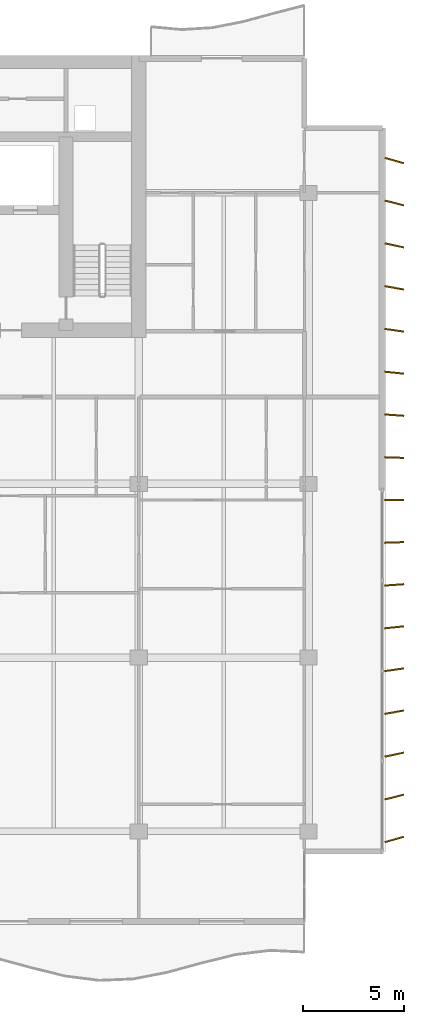
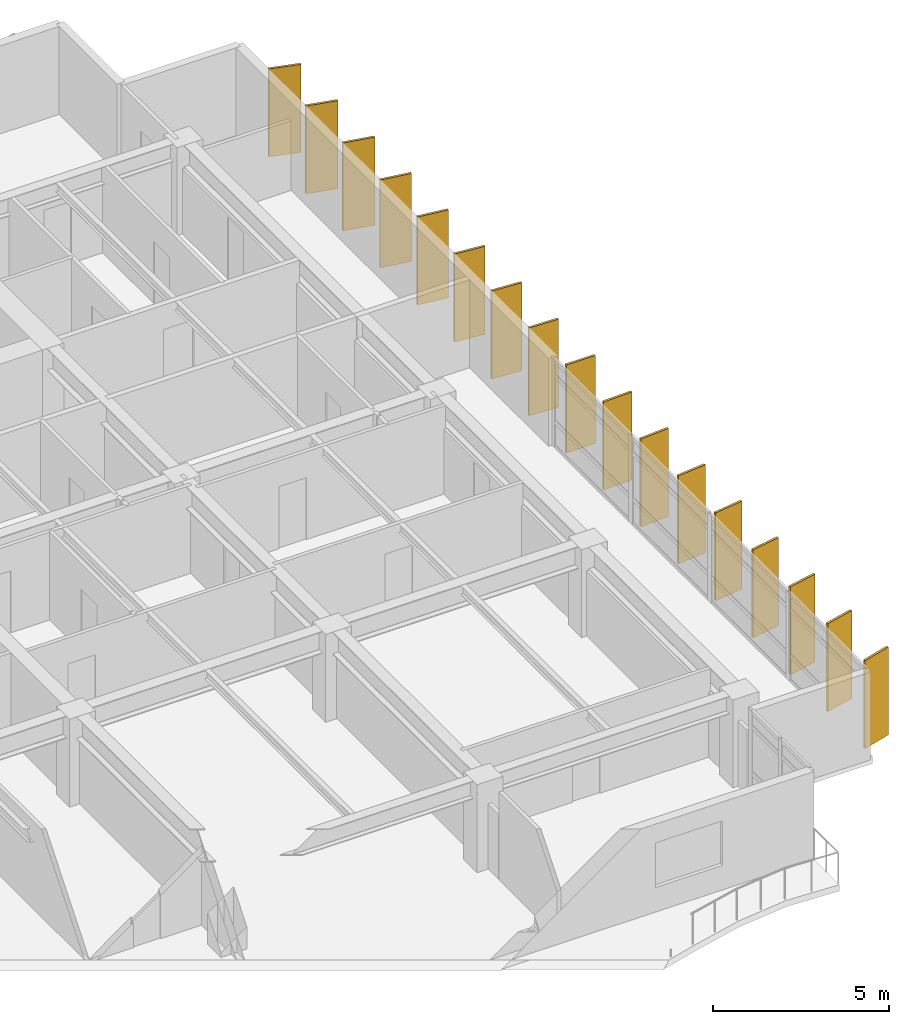
# One storey, part 18 of 18: 17 shading devices.
"""IFC4 building model written with IfcOpenShell, lengths in metres."""

from ifc_helpers import new_model, si_unit, direction, frame, origin, origin_2d, place, context, subcontext, project, spatial, rectangle, extrude, material, material_profile, profile_set, type_object, element, save


model = new_model("IFC4")

# Units and contexts
model_context = context("Model", 3, precision=1e-05, world=origin(), true_north=direction((0.0, 1.0)))
body_context = subcontext(model_context, "Body", "Model", "MODEL_VIEW")
ifc_project = project(units=[si_unit("LENGTHUNIT", "METRE"), si_unit("AREAUNIT", "SQUARE_METRE"), si_unit("VOLUMEUNIT", "CUBIC_METRE"), si_unit("PLANEANGLEUNIT", "RADIAN"), si_unit("MASSUNIT", "GRAM", prefix="KILO")], contexts=[model_context])

# Site, building, storey
site_placement = place(None, origin())
site = spatial("IfcSite", under=ifc_project, at=site_placement, CompositionType="ELEMENT")
building_placement = place(site_placement, origin())
building = spatial("IfcBuilding", under=site, at=building_placement, Name="Caelmar Bay Residences", CompositionType="ELEMENT")
storey_placement = place(building_placement, frame((0.0, 0.0, 170.39990234375)))
storey = spatial("IfcBuildingStorey", under=building, at=storey_placement, Name="L47", CompositionType="ELEMENT", Elevation=170.39990234375)

# Shading devices
ifc_material = material(Name="Anodised architectural bronze aluminium 6063-T6", Category="aluminium")
ifc_material_profile = material_profile(ifc_material, rectangle(XDim=0.074951171875, YDim=0.949951171875, at=origin_2d()), Name="BRONZE-FIN-75X950")
ifc_profile_set = profile_set([ifc_material_profile], Name="Anodised architectural bronze aluminium 6063-T6")
shading_device_type = type_object("IfcShadingDeviceType", Name="SHD-FIN-950", PredefinedType="USERDEFINED", material=ifc_profile_set)
for number, where, z_axis, x_axis, name in (
    (1, (72.14990234375, 11.800048828125, 0.0), (0.0, 0.0, 1.0), (-0.275637355817, 0.961261695938, 0.0), "L47 East Bronze Solar Fin 1"),
    (2, (72.14990234375, 13.89990234375, 0.0), (0.0, 0.0, 1.0), (-0.2419218956, 0.970295726276, 0.0), "L47 East Bronze Solar Fin 2"),
    (3, (72.14990234375, 16.0, 0.0), (0.0, 0.0, 1.0), (-0.207911690818, 0.978147600734, 0.0), "L47 East Bronze Solar Fin 3"),
    (4, (72.14990234375, 18.10009765625, 0.0), (0.0, 0.0, 1.0), (-0.173648177667, 0.984807753012, 0.0), "L47 East Bronze Solar Fin 4"),
    (5, (72.14990234375, 20.199951171875, 0.0), (0.0, 0.0, 1.0), (-0.13917310096, 0.990268068742, 0.0), "L47 East Bronze Solar Fin 5"),
    (6, (72.14990234375, 22.300048828125, 0.0), (0.0, 0.0, 1.0), (-0.104528463268, 0.994521895368, 0.0), "L47 East Bronze Solar Fin 6"),
    (7, (72.14990234375, 24.39990234375, 0.0), (0.0, 0.0, 1.0), (-0.069756473744, 0.99756405026, 0.0), "L47 East Bronze Solar Fin 7"),
    (8, (72.14990234375, 26.5, 0.0), (0.0, 0.0, 1.0), (-0.034899496703, 0.999390827019, 0.0), "L47 East Bronze Solar Fin 8"),
    (9, (72.14990234375, 28.60009765625, 0.0), (0.0, 0.0, 1.0), (0.0, 1.0, 0.0), "L47 East Bronze Solar Fin 9"),
    (10, (72.14990234375, 30.699951171875, 0.0), (0.0, 0.0, 1.0), (0.034899496703, 0.999390827019, 0.0), "L47 East Bronze Solar Fin 10"),
    (11, (72.14990234375, 32.800048828125, 0.0), (0.0, 0.0, 1.0), (0.069756473744, 0.99756405026, 0.0), "L47 East Bronze Solar Fin 11"),
    (12, (72.14990234375, 34.89990234375, 0.0), (0.0, 0.0, 1.0), (0.104528463268, 0.994521895368, 0.0), "L47 East Bronze Solar Fin 12"),
    (13, (72.14990234375, 37.0, 0.0), (0.0, 0.0, 1.0), (0.13917310096, 0.990268068742, 0.0), "L47 East Bronze Solar Fin 13"),
    (14, (72.14990234375, 39.10009765625, 0.0), (0.0, 0.0, 1.0), (0.173648177667, 0.984807753012, 0.0), "L47 East Bronze Solar Fin 14"),
    (15, (72.14990234375, 41.199951171875, 0.0), (0.0, 0.0, 1.0), (0.207911690818, 0.978147600734, 0.0), "L47 East Bronze Solar Fin 15"),
    (16, (72.14990234375, 43.300048828125, 0.0), (0.0, 0.0, 1.0), (0.2419218956, 0.970295726276, 0.0), "L47 East Bronze Solar Fin 16"),
    (17, (72.14990234375, 45.39990234375, 0.0), (0.0, 0.0, 1.0), (0.275637355817, 0.961261695938, 0.0), "L47 East Bronze Solar Fin 17"),
):
    element("IfcShadingDevice", number, at=place(storey_placement, frame(where, z_axis=z_axis, x_axis=x_axis)), inside=storey, type_object=shading_device_type, Name=name, ObjectType="FIN", PredefinedType="USERDEFINED", context=body_context, shape_type="SweptSolid", body=[
        extrude(rectangle(XDim=0.074951171875, YDim=0.949951171875, at=origin_2d()), origin(), (0.0, 0.0, 1.0), 3.050048828125),
    ])

save(model, "model.ifc")
